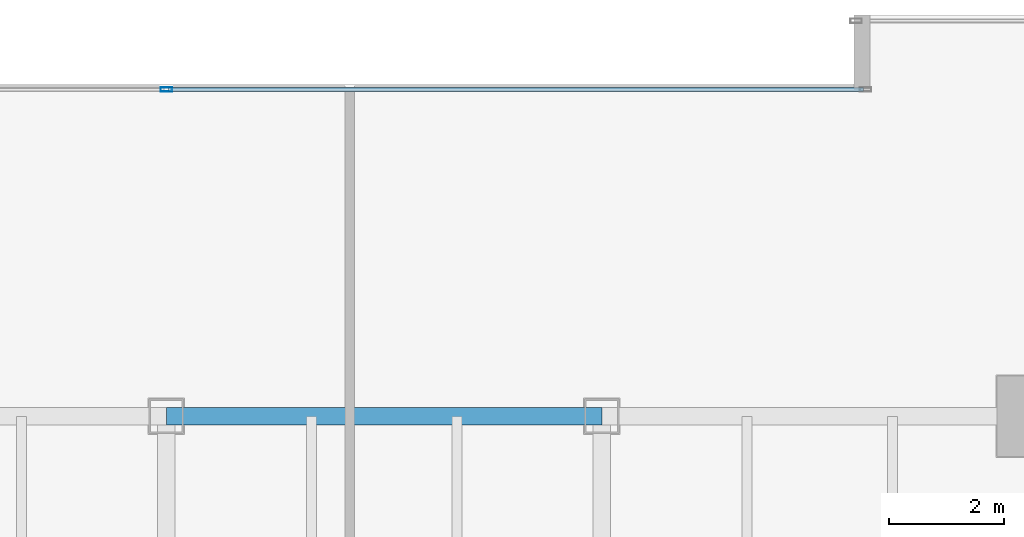
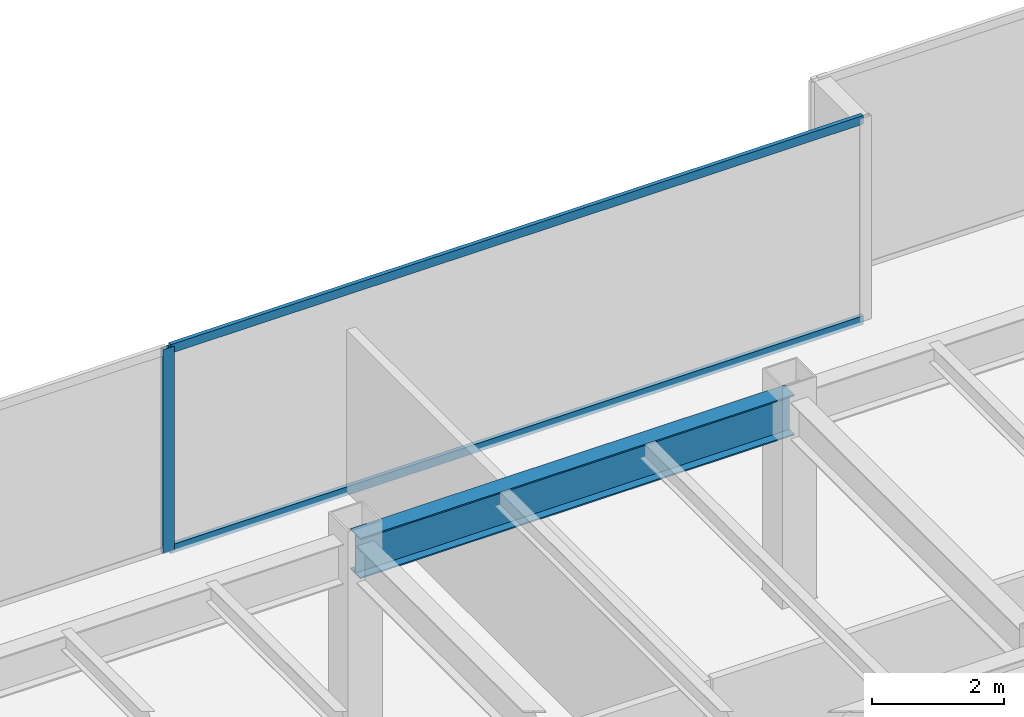
# One storey, part 18 of 36: 3 members, 1 beam, 1 element without a shape of its own.
"""IFC4 building model written with IfcOpenShell, lengths in metres."""

from ifc_helpers import new_model, si_unit, direction, frame, origin, origin_2d, place, context, subcontext, project, spatial, hollow_rectangle, i_section, extrude, source, transform, mapped, material, layer, layer_set, material_profile, profile_set, type_object, type_shapes, element, aggregate, save


model = new_model("IFC4")

# Units and contexts
model_context = context("Model", 3, precision=1e-05, world=origin(), true_north=direction((0.0, 1.0)))
body_context = subcontext(model_context, "Body", "Model", "MODEL_VIEW")
ifc_project = project(units=[si_unit("LENGTHUNIT", "METRE"), si_unit("AREAUNIT", "SQUARE_METRE"), si_unit("VOLUMEUNIT", "CUBIC_METRE"), si_unit("PLANEANGLEUNIT", "RADIAN"), si_unit("MASSUNIT", "GRAM", prefix="KILO")], contexts=[model_context])

# Site, building, storey
site_placement = place(None, origin())
site = spatial("IfcSite", under=ifc_project, at=site_placement, CompositionType="ELEMENT")
building_placement = place(site_placement, origin())
building = spatial("IfcBuilding", under=site, at=building_placement, Name="Haelvirn Gate Laboratories", CompositionType="ELEMENT")
storey_placement = place(building_placement, frame((0.0, 0.0, 49.800048828125)))
storey = spatial("IfcBuildingStorey", under=building, at=storey_placement, Name="L12", CompositionType="ELEMENT", Elevation=49.800048828125)

# Beam
ifc_material_1 = material(Name="Steel SM355", Category="steel")
ifc_material_profile_1 = material_profile(ifc_material_1, i_section(OverallWidth=0.300048828125, OverallDepth=0.75, WebThickness=0.013916015625, FlangeThickness=0.02392578125, at=origin_2d()), Name="H-750x300x14x24")
ifc_profile_set_1 = profile_set([ifc_material_profile_1], Name="Steel SM355")
beam_type = type_object("IfcBeamType", Name="BM-G-750", PredefinedType="BEAM", material=ifc_profile_set_1)
shared_shape_1 = source(origin(), body_context, "Body", "SweptSolid", [
    extrude(i_section(OverallWidth=0.300048828125, OverallDepth=0.75, WebThickness=0.013916015625, FlangeThickness=0.02392578125, at=origin_2d()), origin(), (0.0, 0.0, 1.0), 7.60009765625),
])
type_shapes(beam_type, [shared_shape_1])
beam_placement = place(storey_placement, frame((37.39990234375, 41.60009765625, 3.405029296875), z_axis=(1.0, 0.0, 0.0), x_axis=(0.0, 1.0, 0.0)))
element("IfcBeam", 1, at=beam_placement, inside=storey, type_object=beam_type, Name="L12 Primary Girder Y41.6 (37.4-45.0)", PredefinedType="BEAM", context=body_context, shape_type="MappedRepresentation", body=[
    mapped(shared_shape_1, transform((0.0, 0.0, 0.0), scale=1.0)),
])

# Curtain wall, members
ifc_material_2 = material(Name="Anodised bronze unitised aluminium & triple low-E glass", Category="aluminium")
ifc_layer = layer(ifc_material_2, 0.18408203125, Name="CW-SYS-2")
ifc_layer_set = layer_set([ifc_layer], Name="Anodised bronze unitised aluminium & triple low-E glass")
curtain_wall_type = type_object("IfcCurtainWallType", Name="CW-SYS-2", PredefinedType="NOTDEFINED", material=ifc_layer_set)
curtain_wall_placement = place(storey_placement, origin())
curtain_wall = element("IfcCurtainWall", 2, at=curtain_wall_placement, inside=storey, type_object=curtain_wall_type, Name="L12 Unitised Curtain Wall CW-L12-P0-E12-1", PredefinedType="NOTDEFINED")
ifc_material_3 = material(Name="Extruded aluminium 6063-T6 (anodised bronze)", Category="aluminium")
ifc_material_profile_2 = material_profile(ifc_material_3, hollow_rectangle(XDim=0.074951171875, YDim=0.199951171875, WallThickness=0.0048828125, at=origin_2d()), Name="CWM-200x75x5")
ifc_profile_set_2 = profile_set([ifc_material_profile_2], Name="Extruded aluminium 6063-T6 (anodised bronze)")
member_type_1 = type_object("IfcMemberType", Name="CWM-T200", PredefinedType="MULLION", material=ifc_profile_set_2)
shared_shape_2 = source(origin(), body_context, "Body", "SweptSolid", [
    extrude(hollow_rectangle(XDim=0.074951171875, YDim=0.199951171875, WallThickness=0.0048828125, at=origin_2d()), origin(), (0.0, 0.0, 1.0), 3.780029296875),
])
type_shapes(member_type_1, [shared_shape_2])
member_1_placement = place(storey_placement, frame((37.39990234375, 47.300048828125, 0.0), z_axis=(0.0, 0.0, 1.0), x_axis=(0.0, 1.0, 0.0)))
member_1 = element("IfcMember", 3, at=member_1_placement, type_object=member_type_1, Name="CW2 mullion 2", PredefinedType="MULLION", context=body_context, shape_type="MappedRepresentation", body=[
    mapped(shared_shape_2, transform((0.0, 0.0, 0.0), scale=1.0)),
])
ifc_material_profile_3 = material_profile(ifc_material_3, hollow_rectangle(XDim=0.070068359375, YDim=0.159912109375, WallThickness=0.0048828125, at=origin_2d()), Name="CWT-160x70x5")
ifc_profile_set_3 = profile_set([ifc_material_profile_3], Name="Extruded aluminium 6063-T6 (anodised bronze)")
member_type_2 = type_object("IfcMemberType", Name="CWT-T160", PredefinedType="USERDEFINED", material=ifc_profile_set_3)
shared_shape_3 = source(origin(), body_context, "Body", "SweptSolid", [
    extrude(hollow_rectangle(XDim=0.070068359375, YDim=0.159912109375, WallThickness=0.0048828125, at=origin_2d()), origin(), (0.0, 0.0, 1.0), 12.12744140625),
])
type_shapes(member_type_2, [shared_shape_3])
member_2_placement = place(storey_placement, frame((37.4375, 47.300048828125, 0.034912109375), z_axis=(1.0, 0.0, 0.0), x_axis=(0.0, 1.0, 0.0)))
member_2 = element("IfcMember", 4, at=member_2_placement, type_object=member_type_2, Name="CW2 transom 2.1", ObjectType="TRANSOM", PredefinedType="USERDEFINED", context=body_context, shape_type="MappedRepresentation", body=[
    mapped(shared_shape_3, transform((0.0, 0.0, 0.0), scale=1.0)),
])
member_3_placement = place(storey_placement, frame((37.4375, 47.300048828125, 3.744873046875), z_axis=(1.0, 0.0, 0.0), x_axis=(0.0, 1.0, 0.0)))
member_3 = element("IfcMember", 5, at=member_3_placement, type_object=member_type_2, Name="CW2 transom 2.2", ObjectType="TRANSOM", PredefinedType="USERDEFINED", context=body_context, shape_type="MappedRepresentation", body=[
    mapped(shared_shape_3, transform((0.0, 0.0, 0.0), scale=1.0)),
])
aggregate(curtain_wall, [member_1, member_2, member_3])

save(model, "model.ifc")
